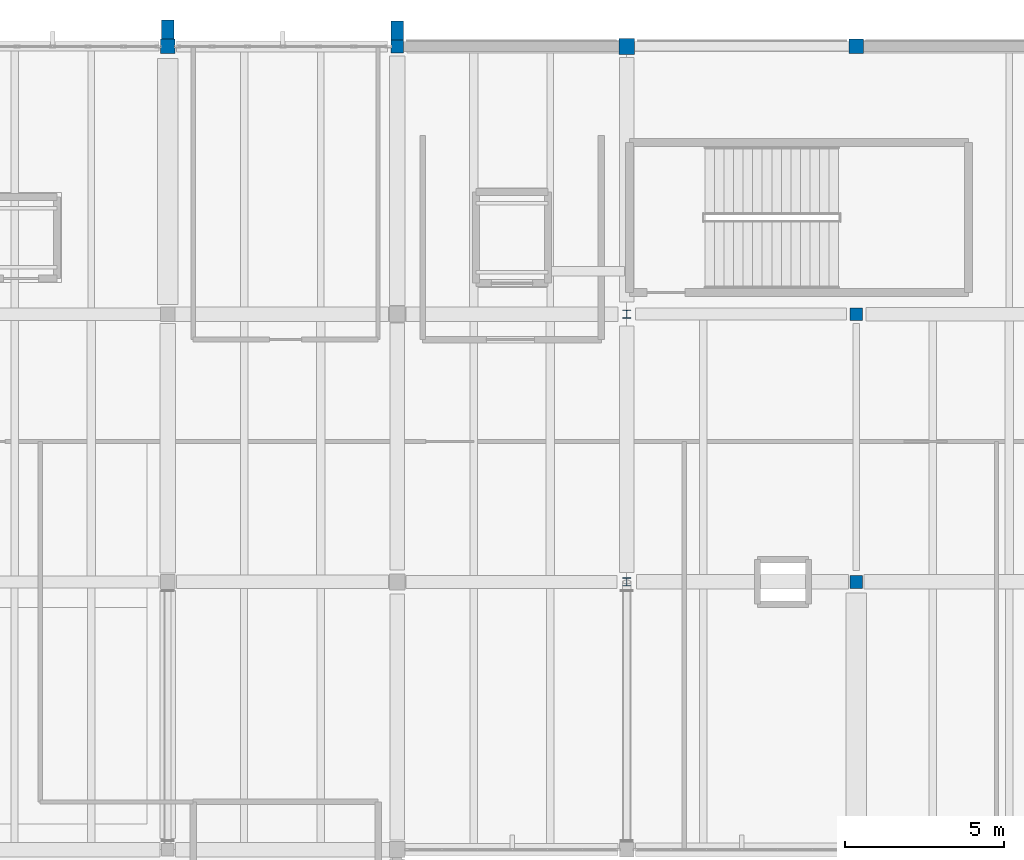
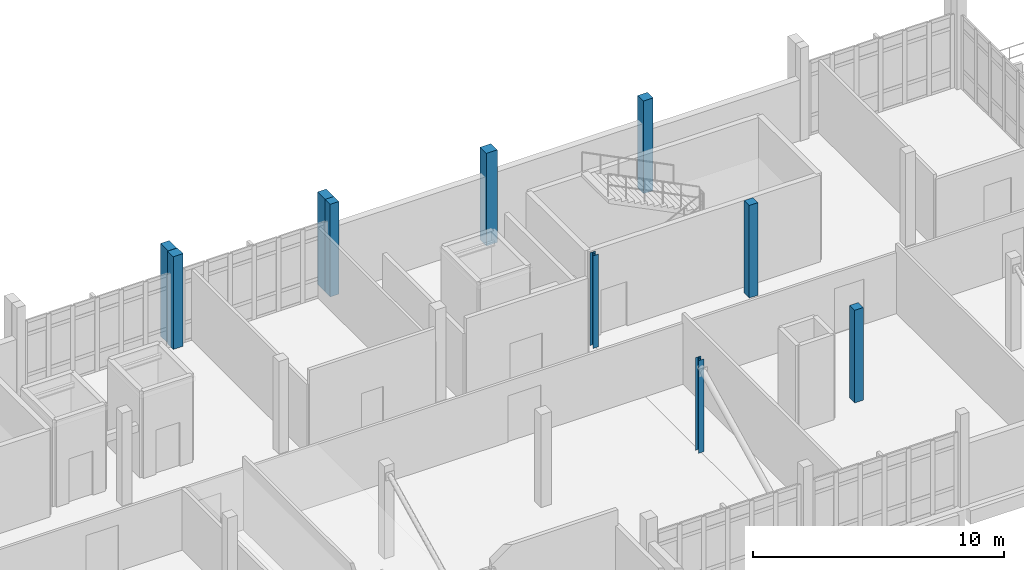
# One storey, part 4 of 34: 10 columns.
"""IFC4 building model written with IfcOpenShell, lengths in metres."""

from ifc_helpers import new_model, si_unit, direction, frame, origin, origin_2d, place, context, subcontext, project, spatial, rectangle, i_section, extrude, material, material_profile, profile_set, type_object, element, save


model = new_model("IFC4")

# Units and contexts
model_context = context("Model", 3, precision=1e-05, world=origin(), true_north=direction((0.0, 1.0)))
body_context = subcontext(model_context, "Body", "Model", "MODEL_VIEW")
ifc_project = project(units=[si_unit("LENGTHUNIT", "METRE"), si_unit("AREAUNIT", "SQUARE_METRE"), si_unit("VOLUMEUNIT", "CUBIC_METRE"), si_unit("PLANEANGLEUNIT", "RADIAN"), si_unit("MASSUNIT", "GRAM", prefix="KILO")], contexts=[model_context])

# Site, building, storey
site_placement = place(None, origin())
site = spatial("IfcSite", under=ifc_project, at=site_placement, CompositionType="ELEMENT")
building_placement = place(site_placement, origin())
building = spatial("IfcBuilding", under=site, at=building_placement, Name="Kalluvel Institute of Natural Sciences", CompositionType="ELEMENT")
storey_placement = place(building_placement, frame((0.0, 0.0, 36.89990234375)))
storey = spatial("IfcBuildingStorey", under=building, at=storey_placement, Name="L08", CompositionType="ELEMENT", Elevation=36.89990234375)

# Columns
ifc_material_1 = material(Name="Steel E350 Grade 350", Category="steel")
ifc_material_profile_1 = material_profile(ifc_material_1, i_section(OverallWidth=0.25, OverallDepth=0.25, WebThickness=0.0087890625, FlangeThickness=0.009765625, FilletRadius=0.010009765625, at=origin_2d()), Name="ISHB 250")
ifc_profile_set_1 = profile_set([ifc_material_profile_1], Name="Steel E350 Grade 350")
column_type_1 = type_object("IfcColumnType", Name="COL-ISHB250", PredefinedType="COLUMN", material=ifc_profile_set_1)
for number, where, z_axis, x_axis, name in (
    (1, (64.39990234375, 111.199951171875, 0.0), (0.0, 0.0, 1.0), (1.0, 0.0, 0.0), "L08 structural column COL-L08-X644-Y1112"),
    (2, (64.39990234375, 119.60009765625, 0.0), (0.0, 0.0, 1.0), (1.0, 0.0, 0.0), "L08 structural column COL-L08-X644-Y1196"),
):
    element("IfcColumn", number, at=place(storey_placement, frame(where, z_axis=z_axis, x_axis=x_axis)), inside=storey, type_object=column_type_1, Name=name, PredefinedType="COLUMN", context=body_context, shape_type="SweptSolid", body=[
        extrude(i_section(OverallWidth=0.25, OverallDepth=0.25, WebThickness=0.0087890625, FlangeThickness=0.009765625, FilletRadius=0.010009765625, at=origin_2d()), origin(), (0.0, 0.0, 1.0), 4.5),
    ])
ifc_material_2 = material(Name="Concrete M40", Category="concrete")
ifc_material_profile_2 = material_profile(ifc_material_2, rectangle(XDim=0.39990234375, YDim=0.39990234375, at=origin_2d()), Name="RC 400x400")
ifc_profile_set_2 = profile_set([ifc_material_profile_2], Name="Concrete M40")
column_type_2 = type_object("IfcColumnType", Name="COL-RC400", PredefinedType="COLUMN", material=ifc_profile_set_2)
for number, where, z_axis, x_axis, name in (
    (3, (57.199951171875, 128.0, 0.0), (0.0, 0.0, 1.0), (1.0, 0.0, 0.0), "L08 structural column COL-L08-X572-Y1280"),
    (4, (71.60009765625, 111.199951171875, 0.0), (0.0, 0.0, 1.0), (1.0, 0.0, 0.0), "L08 structural column COL-L08-X716-Y1112"),
    (5, (71.60009765625, 119.60009765625, 0.0), (0.0, 0.0, 1.0), (1.0, 0.0, 0.0), "L08 structural column COL-L08-X716-Y1196"),
):
    element("IfcColumn", number, at=place(storey_placement, frame(where, z_axis=z_axis, x_axis=x_axis)), inside=storey, type_object=column_type_2, Name=name, PredefinedType="COLUMN", context=body_context, shape_type="SweptSolid", body=[
        extrude(rectangle(XDim=0.39990234375, YDim=0.39990234375, at=origin_2d()), origin(), (0.0, 0.0, 1.0), 4.5),
    ])
ifc_material_profile_3 = material_profile(ifc_material_2, rectangle(XDim=0.449951171875, YDim=0.449951171875, at=origin_2d()), Name="RC 450x450")
ifc_profile_set_3 = profile_set([ifc_material_profile_3], Name="Concrete M40")
column_type_3 = type_object("IfcColumnType", Name="COL-RC450", PredefinedType="COLUMN", material=ifc_profile_set_3)
for number, where, z_axis, x_axis, name in (
    (6, (50.0, 128.0, 0.0), (0.0, 0.0, 1.0), (1.0, 0.0, 0.0), "L08 structural column COL-L08-X500-Y1280"),
    (7, (71.60009765625, 128.0, 0.0), (0.0, 0.0, 1.0), (1.0, 0.0, 0.0), "L08 structural column COL-L08-X716-Y1280"),
):
    element("IfcColumn", number, at=place(storey_placement, frame(where, z_axis=z_axis, x_axis=x_axis)), inside=storey, type_object=column_type_3, Name=name, PredefinedType="COLUMN", context=body_context, shape_type="SweptSolid", body=[
        extrude(rectangle(XDim=0.449951171875, YDim=0.449951171875, at=origin_2d()), origin(), (0.0, 0.0, 1.0), 4.5),
    ])
ifc_material_profile_4 = material_profile(ifc_material_2, rectangle(XDim=0.5, YDim=0.5, at=origin_2d()), Name="RC 500x500")
ifc_profile_set_4 = profile_set([ifc_material_profile_4], Name="Concrete M40")
column_type_4 = type_object("IfcColumnType", Name="COL-RC500", PredefinedType="COLUMN", material=ifc_profile_set_4)
column_placement = place(storey_placement, frame((64.39990234375, 128.0, 0.0), z_axis=(0.0, 0.0, 1.0), x_axis=(1.0, 0.0, 0.0)))
element("IfcColumn", 8, at=column_placement, inside=storey, type_object=column_type_4, Name="L08 structural column COL-L08-X644-Y1280", PredefinedType="COLUMN", context=body_context, shape_type="SweptSolid", body=[
    extrude(rectangle(XDim=0.5, YDim=0.5, at=origin_2d()), origin(), (0.0, 0.0, 1.0), 4.5),
])
ifc_material_3 = material(Name="Sadarahalli Granite Precast Concrete M45", Category="masonry")
ifc_material_profile_5 = material_profile(ifc_material_3, rectangle(XDim=0.39990234375, YDim=0.60009765625, at=origin_2d()), Name="PIL 400x600")
ifc_profile_set_5 = profile_set([ifc_material_profile_5], Name="Sadarahalli Granite Precast Concrete M45")
column_type_5 = type_object("IfcColumnType", Name="PIL-400x600", PredefinedType="PILASTER", material=ifc_profile_set_5)
for number, where, z_axis, x_axis, name in (
    (9, (50.0, 128.528076171875, 0.0), (0.0, 0.0, 1.0), (1.0, 0.0, 0.0), "L08 Gothic stepped Sadarahalli granite buttress 40"),
    (10, (57.199951171875, 128.5029296875, 0.0), (0.0, 0.0, 1.0), (1.0, 0.0, 0.0), "L08 Gothic stepped Sadarahalli granite buttress 50"),
):
    element("IfcColumn", number, at=place(storey_placement, frame(where, z_axis=z_axis, x_axis=x_axis)), inside=storey, type_object=column_type_5, Name=name, PredefinedType="PILASTER", context=body_context, shape_type="SweptSolid", body=[
        extrude(rectangle(XDim=0.39990234375, YDim=0.60009765625, at=origin_2d()), origin(), (0.0, 0.0, 1.0), 4.5),
    ])

save(model, "model.ifc")
